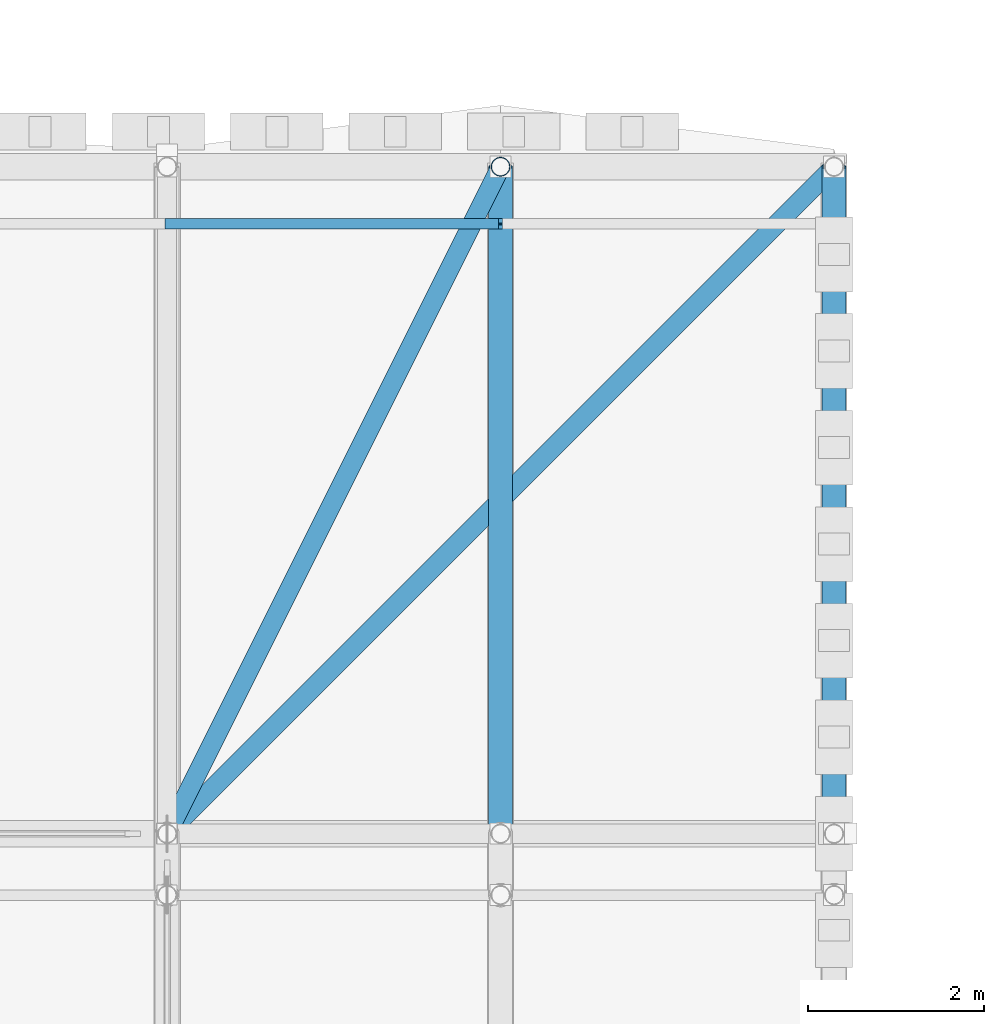
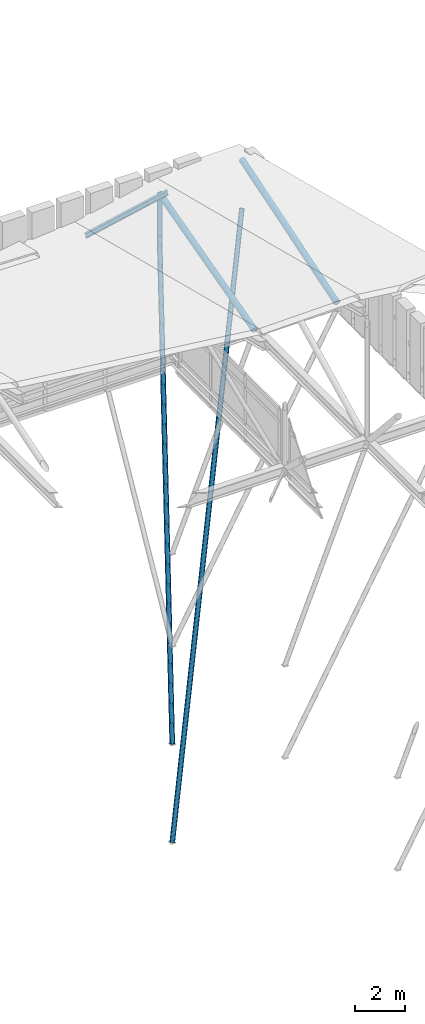
# One storey, part 25 of 42: 6 members.
"""IFC4 building model written with IfcOpenShell, lengths in metres."""

import ifcopenshell
import ifcopenshell.guid

model = None  # the IFC model being written
_history = None  # IfcOwnerHistory: only IFC2X3 demands one
_inside = {}  # id of a spatial element -> (the spatial element, [elements in it])
_under = {}  # id of a project, library or spatial element -> (it, [spatial elements below it])
_declared = {}  # id of a project -> (the project, [libraries it declares])
_typed = {}  # id of a type object -> (the type object, [elements of that type])
_made_of = {}  # id of a material, layer set ... -> (it, [elements and type objects made of it])


def new_model(schema):
    """Start an empty IFC model of exactly this schema.

    Asked for "IFC4X3", IfcOpenShell would pick the latest addendum, in which some entities
    have other attributes; the version numbers below select the first issue.
    IFC2X3 requires an IfcOwnerHistory on every rooted entity: one is made here for all.
    """
    global model, _history
    if schema == "IFC4X3":
        model = ifcopenshell.file(schema_version=(4, 3, 0, 0))
    else:
        model = ifcopenshell.file(schema=schema)
    _inside.clear()
    _under.clear()
    _declared.clear()
    _typed.clear()
    _made_of.clear()
    _history = None
    if model.schema == "IFC2X3":
        org = make("IfcOrganization", Name="unknown")
        user = make(
            "IfcPersonAndOrganization",
            ThePerson=make("IfcPerson", FamilyName="unknown"),
            TheOrganization=org,
        )
        app = make(
            "IfcApplication",
            ApplicationDeveloper=org,
            Version="unknown",
            ApplicationFullName="unknown",
            ApplicationIdentifier="unknown",
        )
        _history = make(
            "IfcOwnerHistory",
            OwningUser=user,
            OwningApplication=app,
            ChangeAction="ADDED",
            CreationDate=0,
        )
    return model


def make(cls, **values):
    """One entity of the class cls with the attributes given. An attribute that is None is left unset."""
    return model.create_entity(
        cls, **{name: value for name, value in values.items() if value is not None}
    )


def rooted(cls, **values):
    """An entity with a GlobalId (a new one), such as an element, a storey or a relation."""
    return make(cls, GlobalId=ifcopenshell.guid.new(), OwnerHistory=_history, **values)


def si_unit(unit_type, name, prefix=None):
    """IfcSIUnit, for example si_unit("LENGTHUNIT", "METRE", prefix="MILLI")."""
    return make("IfcSIUnit", UnitType=unit_type, Prefix=prefix, Name=name)


def assignment(units):
    """IfcUnitAssignment: the units of a project."""
    return None if units is None else make("IfcUnitAssignment", Units=units)


def point(xyz):
    """IfcCartesianPoint."""
    return None if xyz is None else make("IfcCartesianPoint", Coordinates=xyz)


def direction(xyz):
    """IfcDirection."""
    return None if xyz is None else make("IfcDirection", DirectionRatios=xyz)


def frame(location, z_axis=None, x_axis=None):
    """IfcAxis2Placement3D, a coordinate frame: its origin and axes. An axis left out is left unset."""
    return make(
        "IfcAxis2Placement3D",
        Location=point(location),
        Axis=direction(z_axis),
        RefDirection=direction(x_axis),
    )


def frame_2d(location, x_axis=None):
    """IfcAxis2Placement2D, a coordinate frame in the plane: its origin and x axis."""
    return make(
        "IfcAxis2Placement2D", Location=point(location), RefDirection=direction(x_axis)
    )


def origin():
    """The frame at (0, 0, 0) with its axes left unset."""
    return frame((0.0, 0.0, 0.0))


def origin_2d():
    """The frame at (0, 0) in the plane with its x axis left unset."""
    return frame_2d((0.0, 0.0))


def place(relative_to, where):
    """IfcLocalPlacement: puts the frame where relative to a parent placement (None: the world)."""
    return make(
        "IfcLocalPlacement", PlacementRelTo=relative_to, RelativePlacement=where
    )


def context(
    kind, dimensions, precision=None, world=None, true_north=None, identifier=None
):
    """IfcGeometricRepresentationContext, for example the 3D "Model" context."""
    return make(
        "IfcGeometricRepresentationContext",
        ContextIdentifier=identifier,
        ContextType=kind,
        CoordinateSpaceDimension=dimensions,
        Precision=precision,
        WorldCoordinateSystem=world,
        TrueNorth=true_north,
    )


def subcontext(parent, identifier, kind, view, scale=None):
    """IfcGeometricRepresentationSubContext, for example "Body" below "Model"."""
    return make(
        "IfcGeometricRepresentationSubContext",
        ContextIdentifier=identifier,
        ContextType=kind,
        ParentContext=parent,
        TargetScale=scale,
        TargetView=view,
    )


def project(units=None, contexts=None):
    """IfcProject with its units and contexts."""
    return rooted(
        "IfcProject",
        Name="project",
        RepresentationContexts=contexts,
        UnitsInContext=assignment(units),
    )


def spatial(cls, under=None, at=None, **own):
    """A site, building, storey or space (cls), placed at a placement, below another one or the project."""
    s = rooted(cls, ObjectPlacement=at, **own)
    if under is not None:
        _under.setdefault(under.id(), (under, []))[1].append(s)
    return s


def profile(cls, at=None, kind="AREA", **sizes):
    """A parametric profile (cls). Its sizes go by their IFC names, for example OverallWidth=200.0."""
    return make(cls, ProfileType=kind, Position=at, **sizes)


def hollow_circle(**sizes):
    """IfcCircleHollowProfileDef."""
    return profile("IfcCircleHollowProfileDef", **sizes)


def i_section(**sizes):
    """IfcIShapeProfileDef."""
    return profile("IfcIShapeProfileDef", **sizes)


def extrude(swept, where, along, depth):
    """IfcExtrudedAreaSolid: the profile swept, set in the frame where, extruded along a direction by depth."""
    return make(
        "IfcExtrudedAreaSolid",
        SweptArea=swept,
        Position=where,
        ExtrudedDirection=direction(along),
        Depth=depth,
    )


def shape(context_of_items, identifier, shape_type, items):
    """IfcShapeRepresentation: the items that make up one representation, for example the "Body"."""
    return make(
        "IfcShapeRepresentation",
        ContextOfItems=context_of_items,
        RepresentationIdentifier=identifier,
        RepresentationType=shape_type,
        Items=items,
    )


def material(Name=None, Category=None):
    """IfcMaterial."""
    return make("IfcMaterial", Name=Name, Category=Category)


def material_profile(
    of_material, cross_section, Name=None, Category=None, Priority=None
):
    """IfcMaterialProfile: a cross section and its material."""
    return make(
        "IfcMaterialProfile",
        Name=Name,
        Material=of_material,
        Profile=cross_section,
        Priority=Priority,
        Category=Category,
    )


def profile_set(profiles, Name=None, composite=None):
    """IfcMaterialProfileSet."""
    return make(
        "IfcMaterialProfileSet",
        Name=Name,
        MaterialProfiles=profiles,
        CompositeProfile=composite,
    )


def made_of(thing, what):
    """Note that an element or type object is made of a material, layer set ...; save() writes the relation."""
    if what is not None:
        _made_of.setdefault(what.id(), (what, []))[1].append(thing)
    return thing


def type_object(cls, material=None, **own):
    """A type object (cls), such as IfcWallType, which elements share."""
    return made_of(rooted(cls, **own), material)


def element(
    cls,
    number,
    at=None,
    inside=None,
    cuts=None,
    type_object=None,
    material=None,
    context=None,
    identifier="Body",
    shape_type=None,
    held_by="IfcProductDefinitionShape",
    body=None,
    shapes=None,
    **own,
):
    """One element of the class cls, such as IfcWall. Its Tag is "e" and its number.

    at: its placement. inside: the storey or other place that contains it. cuts: it is an
    opening in that element (IfcRelVoidsElement). A single representation is given by context,
    identifier, shape_type and body (its items); several are given by shapes. held_by: the class
    of the entity that holds the representations. save() writes the other relations.
    """
    e = rooted(cls, Tag="e%d" % number, ObjectPlacement=at, **own)
    if body is not None:
        shapes = [shape(context, identifier, shape_type, body)]
    if shapes is not None:
        e.Representation = make(held_by, Representations=shapes)
    if inside is not None:
        _inside.setdefault(inside.id(), (inside, []))[1].append(e)
    if cuts is not None:
        rooted(
            "IfcRelVoidsElement", RelatingBuildingElement=cuts, RelatedOpeningElement=e
        )
    if type_object is not None:
        _typed.setdefault(type_object.id(), (type_object, []))[1].append(e)
    return made_of(e, material)


def aggregate(whole, parts):
    """IfcRelAggregates: a whole, such as a stair, and the parts it consists of."""
    return rooted("IfcRelAggregates", RelatingObject=whole, RelatedObjects=parts)


def save(model, path):
    """Write the relations noted so far, then the file.

    IfcRelAggregates (storeys below a building ...), IfcRelContainedInSpatialStructure (elements
    in a storey), IfcRelDefinesByType, IfcRelAssociatesMaterial and IfcRelDeclares: one each for
    every whole, place, type object, material and project.
    """
    for whole, parts in _under.values():
        aggregate(whole, parts)
    for where, things in _inside.values():
        rooted(
            "IfcRelContainedInSpatialStructure",
            RelatedElements=things,
            RelatingStructure=where,
        )
    for kind, things in _typed.values():
        rooted("IfcRelDefinesByType", RelatedObjects=things, RelatingType=kind)
    for what, things in _made_of.values():
        rooted("IfcRelAssociatesMaterial", RelatedObjects=things, RelatingMaterial=what)
    for by, libraries in _declared.values():
        rooted("IfcRelDeclares", RelatingContext=by, RelatedDefinitions=libraries)
    model.write(path)


model = new_model("IFC4")

# Units and contexts
model_context = context("Model", 3, precision=1e-05, world=origin(), true_north=direction((0.0, 1.0)))
body_context = subcontext(model_context, "Body", "Model", "MODEL_VIEW")
ifc_project = project(units=[si_unit("LENGTHUNIT", "METRE"), si_unit("AREAUNIT", "SQUARE_METRE"), si_unit("VOLUMEUNIT", "CUBIC_METRE"), si_unit("PLANEANGLEUNIT", "RADIAN"), si_unit("MASSUNIT", "GRAM", prefix="KILO")], contexts=[model_context])

# Site, building, storey
site_placement = place(None, origin())
site = spatial("IfcSite", under=ifc_project, at=site_placement, CompositionType="ELEMENT")
building_placement = place(site_placement, origin())
building = spatial("IfcBuilding", under=site, at=building_placement, Name="Bozkorgan Art Gallery", CompositionType="ELEMENT")
storey_placement = place(building_placement, frame((0.0, 0.0, 28.800048828125)))
storey = spatial("IfcBuildingStorey", under=building, at=storey_placement, Name="RF", CompositionType="ELEMENT", Elevation=28.800048828125)

# Members
ifc_material = material(Name="Steel S355J2", Category="steel")
ifc_material_profile_1 = material_profile(ifc_material, hollow_circle(Radius=0.109619140625, WallThickness=0.010009765625, at=origin_2d()), Name="CHS 219.1x10")
ifc_profile_set_1 = profile_set([ifc_material_profile_1], Name="Steel S355J2")
member_type_1 = type_object("IfcMemberType", Name="MEMBER-ES-44", PredefinedType="BRACE", material=ifc_profile_set_1)
member_1_placement = place(storey_placement, frame((65.0, 20.0, -23.400146484375), z_axis=(0.292559884018, 0.292559884018, 0.910394106158), x_axis=(-0.707106781187, 0.707106781187, 0.0)))
element("IfcMember", 1, at=member_1_placement, inside=storey, type_object=member_type_1, Name="ROOF-V1-MAIN northeast corner diagonal tree-strut", PredefinedType="BRACE", context=body_context, shape_type="SweptSolid", body=[
    extrude(hollow_circle(Radius=0.109619140625, WallThickness=0.010009765625, at=origin_2d()), origin(), (0.0, 0.0, 1.0), 25.97802734375),
])
member_2_placement = place(storey_placement, frame((65.0, 20.0, -18.60009765625), z_axis=(0.183783651742, 0.367567303485, 0.911656649601), x_axis=(-0.894427191, 0.4472135955, 0.0)))
element("IfcMember", 2, at=member_2_placement, inside=storey, type_object=member_type_1, Name="ROOF-V1-MAIN northeast mid-overhang diagonal tree-strut", PredefinedType="BRACE", context=body_context, shape_type="SweptSolid", body=[
    extrude(hollow_circle(Radius=0.109619140625, WallThickness=0.010009765625, at=origin_2d()), origin(), (0.0, 0.0, 1.0), 20.6767578125),
])
ifc_material_profile_2 = material_profile(ifc_material, hollow_circle(Radius=0.109619140625, WallThickness=0.010009765625, at=origin_2d()), Name="CHS 219.1x10")
ifc_profile_set_2 = profile_set([ifc_material_profile_2], Name="Steel S355J2")
member_type_2 = type_object("IfcMemberType", Name="MEMBER-PO-77", PredefinedType="POST", material=ifc_profile_set_2)
member_3_placement = place(storey_placement, frame((68.800048828125, 27.60009765625, 0.25), z_axis=(0.0, 0.0, 1.0), x_axis=(1.0, 0.0, 0.0)))
element("IfcMember", 3, at=member_3_placement, inside=storey, type_object=member_type_2, Name="ROOF-V1-MAIN roof truss 9 post 5", PredefinedType="POST", context=body_context, shape_type="SweptSolid", body=[
    extrude(hollow_circle(Radius=0.109619140625, WallThickness=0.010009765625, at=origin_2d()), origin(), (0.0, 0.0, 1.0), 2.05224609375),
])
ifc_material_profile_3 = material_profile(ifc_material, i_section(OverallWidth=0.1201171875, OverallDepth=0.239990234375, WebThickness=0.006103515625, FlangeThickness=0.009765625, FilletRadius=0.014892578125, at=origin_2d()), Name="IPE 240")
ifc_profile_set_3 = profile_set([ifc_material_profile_3], Name="Steel S355J2")
member_type_3 = type_object("IfcMemberType", Name="MEMBER-PR-34", PredefinedType="PURLIN", material=ifc_profile_set_3)
member_4_placement = place(storey_placement, frame((65.0, 26.949951171875, 1.96484375), z_axis=(0.978724893195, 0.0, 0.205176956408), x_axis=(0.0, 1.0, 0.0)))
element("IfcMember", 4, at=member_4_placement, inside=storey, type_object=member_type_3, Name="ROOF-V1-MAIN north eave purlin 8", PredefinedType="PURLIN", context=body_context, shape_type="SweptSolid", body=[
    extrude(i_section(OverallWidth=0.1201171875, OverallDepth=0.239990234375, WebThickness=0.006103515625, FlangeThickness=0.009765625, FilletRadius=0.014892578125, at=origin_2d()), origin(), (0.0, 0.0, 1.0), 3.882568359375),
])
ifc_material_profile_4 = material_profile(ifc_material, hollow_circle(Radius=0.136474609375, WallThickness=0.012451171875, at=origin_2d()), Name="CHS 273x12.5")
ifc_profile_set_4 = profile_set([ifc_material_profile_4], Name="Steel S355J2")
member_type_4 = type_object("IfcMemberType", Name="MEMBER-TW-28", PredefinedType="BRACE", material=ifc_profile_set_4)
member_5_placement = place(storey_placement, frame((68.800048828125, 20.0, 0.25), z_axis=(0.0, 0.965422058198, 0.260691867048), x_axis=(-1.0, 0.0, 0.0)))
element("IfcMember", 5, at=member_5_placement, inside=storey, type_object=member_type_4, Name="ROOF-V1-MAIN roof truss 9 diagonal 5", PredefinedType="BRACE", context=body_context, shape_type="SweptSolid", body=[
    extrude(hollow_circle(Radius=0.136474609375, WallThickness=0.012451171875, at=origin_2d()), origin(), (0.0, 0.0, 1.0), 7.872314453125),
])
member_6_placement = place(storey_placement, frame((72.60009765625, 20.0, 0.25), z_axis=(0.0, 0.954419949667, 0.298467016062), x_axis=(-1.0, 0.0, 0.0)))
element("IfcMember", 6, at=member_6_placement, inside=storey, type_object=member_type_4, Name="ROOF-V1-MAIN roof truss 10 diagonal 5", PredefinedType="BRACE", context=body_context, shape_type="SweptSolid", body=[
    extrude(hollow_circle(Radius=0.136474609375, WallThickness=0.012451171875, at=origin_2d()), origin(), (0.0, 0.0, 1.0), 7.963134765625),
])

save(model, "model.ifc")
